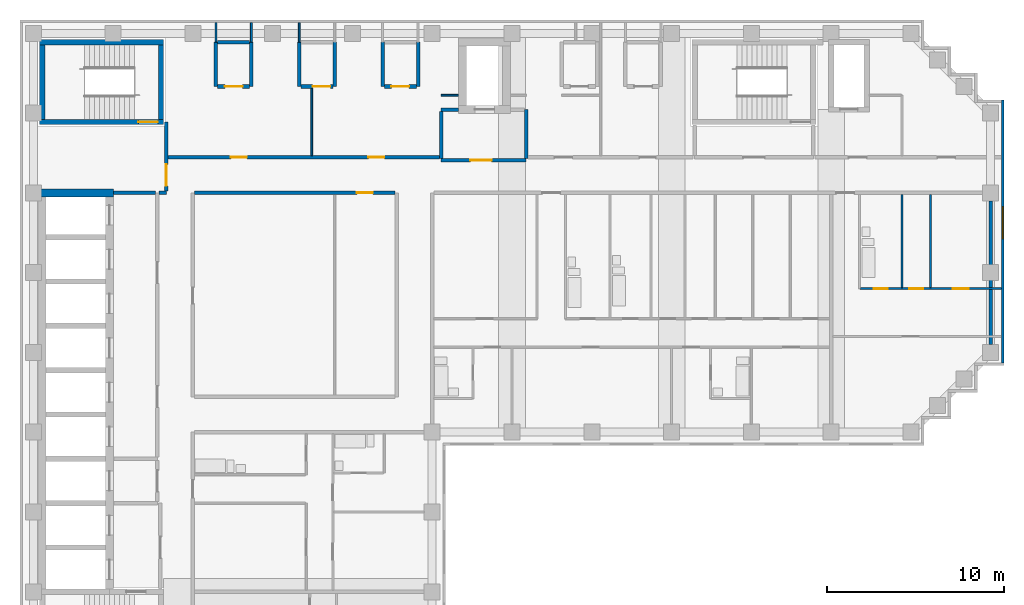
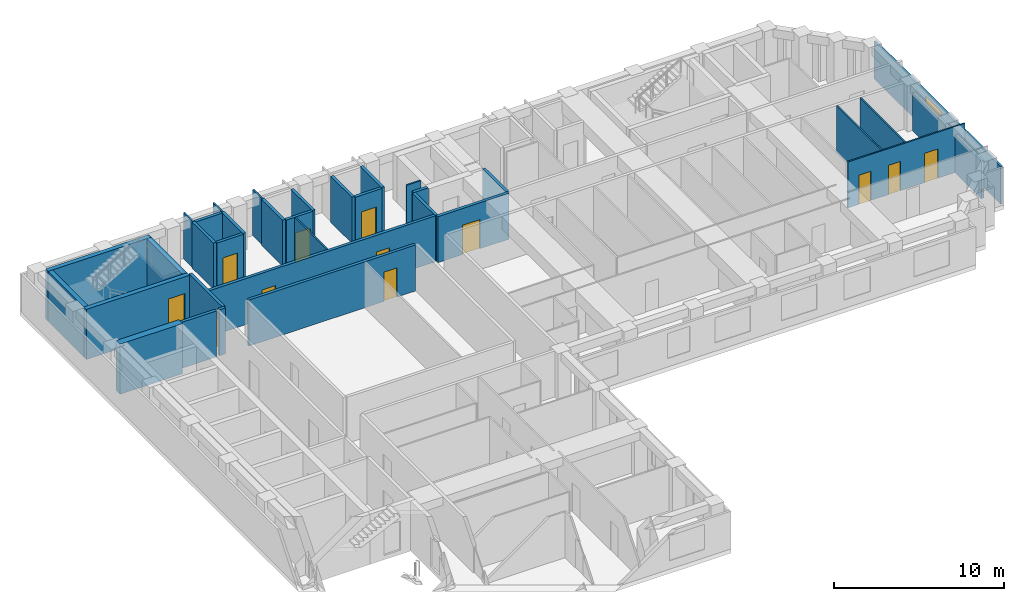
# One storey, part 5 of 9: 34 walls, 12 doors, 1 window, 13 openings.
"""IFC4 building model written with IfcOpenShell, lengths in metres."""

from ifc_helpers import new_model, si_unit, direction, frame, frame_2d, origin, place, context, subcontext, project, spatial, rectangle, extrude, material, layer, layer_set, type_object, element, fill, save


model = new_model("IFC4")

# Units and contexts
model_context = context("Model", 3, precision=1e-05, world=origin(), true_north=direction((0.0, 1.0)))
body_context = subcontext(model_context, "Body", "Model", "MODEL_VIEW")
ifc_project = project(units=[si_unit("LENGTHUNIT", "METRE"), si_unit("AREAUNIT", "SQUARE_METRE"), si_unit("VOLUMEUNIT", "CUBIC_METRE"), si_unit("PLANEANGLEUNIT", "RADIAN"), si_unit("MASSUNIT", "GRAM", prefix="KILO")], contexts=[model_context])

# Site, building, storey
site_placement = place(None, origin())
site = spatial("IfcSite", under=ifc_project, at=site_placement, CompositionType="ELEMENT")
building_placement = place(site_placement, origin())
building = spatial("IfcBuilding", under=site, at=building_placement, Name="Firuza Court", CompositionType="ELEMENT")
storey_placement = place(building_placement, frame((0.0, 0.0, 222.199951171875)))
storey = spatial("IfcBuildingStorey", under=building, at=storey_placement, Name="L57", CompositionType="ELEMENT", Elevation=222.199951171875)

# Wall
ifc_material_1 = material(Name="Moisture-resistant gypsum board partition")
ifc_layer_1 = layer(ifc_material_1, 0.10009765625)
ifc_layer_set_1 = layer_set([ifc_layer_1], Name="Moisture-resistant gypsum board partition")
wall_type_1 = type_object("IfcWallType", Name="Bathroom partition 100", PredefinedType="PLUMBINGWALL", material=ifc_layer_set_1)
wall_1_placement = place(storey_placement, frame((49.0, 44.14990234375, 0.0), z_axis=(0.0, 0.0, 1.0), x_axis=(0.0, 1.0, 0.0)))
element("IfcWall", 1, at=wall_1_placement, inside=storey, type_object=wall_type_1, Name="Bathroom partition 100 L57", PredefinedType="PLUMBINGWALL", context=body_context, shape_type="SweptSolid", body=[
    extrude(rectangle(XDim=5.25, YDim=0.10009765625, at=frame_2d((2.625, 0.0))), origin(), (0.0, 0.0, 1.0), 3.300048828125),
])

# Wall, opening, door
ifc_material_2 = material(Name="Concrete C50/60", Category="concrete")
ifc_layer_2 = layer(ifc_material_2, 0.300048828125)
ifc_layer_set_2 = layer_set([ifc_layer_2], Name="Concrete C50/60")
wall_type_2 = type_object("IfcWallType", Name="Core wall 300 C50/60", PredefinedType="SHEAR", material=ifc_layer_set_2)
wall_2_placement = place(storey_placement, frame((0.35009765625, 53.5, -0.300048828125), z_axis=(0.0, 0.0, 1.0), x_axis=(1.0, 0.0, 0.0)))
wall_2 = element("IfcWall", 2, at=wall_2_placement, inside=storey, type_object=wall_type_2, Name="Core wall stair L57", PredefinedType="SHEAR", context=body_context, shape_type="SweptSolid", body=[
    extrude(rectangle(XDim=7.0, YDim=0.300048828125, at=frame_2d((3.5, 0.0))), origin(), (0.0, 0.0, 1.0), 3.60009765625),
])
opening_1_placement = place(wall_2_placement, frame((5.580078125, 0.0, 0.300048828125)))
opening_1 = element("IfcOpeningElement", 3, at=opening_1_placement, cuts=wall_2, Name="Opening D57012", PredefinedType="OPENING", context=body_context, shape_type="SweptSolid", body=[
    extrude(rectangle(XDim=1.10009765625, YDim=2.10009765625, at=frame_2d((0.550048828125, 1.050048828125))), frame((0.0, 0.162109375, 0.0), z_axis=(0.0, -1.0, 0.0), x_axis=(1.0, 0.0, 0.0)), (0.0, 0.0, 1.0), 0.323974609375),
])
ifc_material_3 = material(Name="Timber door leaf in hardwood frame", Category="wood")
door_type_1 = type_object("IfcDoorType", Name="Stair door 1100", OperationType="SINGLE_SWING_LEFT", PredefinedType="DOOR", material=ifc_material_3)
door_1_placement = place(opening_1_placement, origin())
door_1 = element("IfcDoor", 4, at=door_1_placement, inside=storey, type_object=door_type_1, Name="Stair door S3", OperationType="SINGLE_SWING_RIGHT", OverallHeight=2.10009765625, OverallWidth=1.10009765625, PredefinedType="DOOR", context=body_context, shape_type="SweptSolid", body=[
    extrude(rectangle(XDim=1.10009765625, YDim=2.10009765625, at=frame_2d((0.550048828125, 1.050048828125))), frame((0.0, 0.02490234375, 0.0), z_axis=(0.0, -1.0, 0.0), x_axis=(1.0, 0.0, 0.0)), (0.0, 0.0, 1.0), 0.050048828125),
])
fill(opening_1, door_1)

# Walls
wall_3_placement = place(storey_placement, frame((0.35009765625, 58.0, -0.300048828125), z_axis=(0.0, 0.0, 1.0), x_axis=(1.0, 0.0, 0.0)))
element("IfcWall", 5, at=wall_3_placement, inside=storey, type_object=wall_type_2, Name="Core wall stair L57", PredefinedType="SHEAR", context=body_context, shape_type="SweptSolid", body=[
    extrude(rectangle(XDim=7.0, YDim=0.300048828125, at=frame_2d((3.5, 0.0))), origin(), (0.0, 0.0, 1.0), 3.60009765625),
])
for number, where, z_axis, x_axis, name in (
    (6, (0.5, 53.64990234375, -0.300048828125), (0.0, 0.0, 1.0), (0.0, 1.0, 0.0), "Core wall stair L57"),
    (7, (7.199951171875, 53.64990234375, -0.300048828125), (0.0, 0.0, 1.0), (0.0, 1.0, 0.0), "Core wall stair L57"),
):
    element("IfcWall", number, at=place(storey_placement, frame(where, z_axis=z_axis, x_axis=x_axis)), inside=storey, type_object=wall_type_2, Name=name, PredefinedType="SHEAR", context=body_context, shape_type="SweptSolid", body=[
        extrude(rectangle(XDim=4.2001953125, YDim=0.300048828125, at=frame_2d((2.10009765625, 0.0))), origin(), (0.0, 0.0, 1.0), 3.60009765625),
    ])
ifc_layer_3 = layer(ifc_material_2, 0.449951171875)
ifc_layer_set_3 = layer_set([ifc_layer_3], Name="Concrete C50/60")
wall_type_3 = type_object("IfcWallType", Name="Core wall 450 C50/60", PredefinedType="SHEAR", material=ifc_layer_set_3)
wall_4_placement = place(storey_placement, frame((0.27490234375, 49.5, -0.300048828125), z_axis=(0.0, 0.0, 1.0), x_axis=(1.0, 0.0, 0.0)))
element("IfcWall", 8, at=wall_4_placement, inside=storey, type_object=wall_type_3, Name="Core wall lift shaft L57", PredefinedType="SHEAR", context=body_context, shape_type="SweptSolid", body=[
    extrude(rectangle(XDim=4.25, YDim=0.449951171875, at=frame_2d((2.125, 0.0))), origin(), (0.0, 0.0, 1.0), 3.60009765625),
])

# Wall, opening, door
ifc_material_4 = material(Name="Blockwork, plastered both sides", Category="masonry")
ifc_layer_4 = layer(ifc_material_4, 0.199951171875)
ifc_layer_set_4 = layer_set([ifc_layer_4], Name="Blockwork, plastered both sides")
wall_type_4 = type_object("IfcWallType", Name="Corridor wall 200", PredefinedType="PARTITIONING", material=ifc_layer_set_4)
wall_5_placement = place(storey_placement, frame((9.10009765625, 49.5, 0.0), z_axis=(0.0, 0.0, 1.0), x_axis=(1.0, 0.0, 0.0)))
wall_5 = element("IfcWall", 9, at=wall_5_placement, inside=storey, type_object=wall_type_4, Name="Corridor wall 200 L57", PredefinedType="PARTITIONING", context=body_context, shape_type="SweptSolid", body=[
    extrude(rectangle(XDim=11.2998046875, YDim=0.199951171875, at=frame_2d((5.64990234375, 0.0))), origin(), (0.0, 0.0, 1.0), 3.300048828125),
])
opening_2_placement = place(wall_5_placement, frame((9.14990234375, 0.0, 0.0)))
opening_2 = element("IfcOpeningElement", 10, at=opening_2_placement, cuts=wall_5, Name="Opening D57045", PredefinedType="OPENING", context=body_context, shape_type="SweptSolid", body=[
    extrude(rectangle(XDim=0.89990234375, YDim=2.10009765625, at=frame_2d((0.449951171875, 1.050048828125))), frame((0.0, 0.11181640625, 0.0), z_axis=(0.0, -1.0, 0.0), x_axis=(1.0, 0.0, 0.0)), (0.0, 0.0, 1.0), 0.223876953125),
])
ifc_material_5 = material(Name="Timber door leaf in hardwood frame", Category="wood")
door_type_2 = type_object("IfcDoorType", Name="Room door 900 EI 30", OperationType="SINGLE_SWING_LEFT", PredefinedType="DOOR", material=ifc_material_5)
door_2_placement = place(opening_2_placement, origin())
door_2 = element("IfcDoor", 11, at=door_2_placement, inside=storey, type_object=door_type_2, Name="Residents' club lounge door", OperationType="SINGLE_SWING_LEFT", OverallHeight=2.10009765625, OverallWidth=0.89990234375, PredefinedType="DOOR", context=body_context, shape_type="SweptSolid", body=[
    extrude(rectangle(XDim=0.89990234375, YDim=2.10009765625, at=frame_2d((0.449951171875, 1.050048828125))), frame((0.0, 0.02490234375, 0.0), z_axis=(0.0, -1.0, 0.0), x_axis=(1.0, 0.0, 0.0)), (0.0, 0.0, 1.0), 0.050048828125),
])
fill(opening_2, door_2)

# Wall, openings, doors
wall_6_placement = place(storey_placement, frame((7.60009765625, 51.5, 0.0), z_axis=(0.0, 0.0, 1.0), x_axis=(1.0, 0.0, 0.0)))
wall_6 = element("IfcWall", 12, at=wall_6_placement, inside=storey, type_object=wall_type_4, Name="Corridor wall 200 L57", PredefinedType="PARTITIONING", context=body_context, shape_type="SweptSolid", body=[
    extrude(rectangle(XDim=15.2998046875, YDim=0.199951171875, at=frame_2d((7.64990234375, 0.0))), origin(), (0.0, 0.0, 1.0), 3.300048828125),
])
opening_3_placement = place(wall_6_placement, frame((3.550048828125, 0.0, 0.0)))
opening_3 = element("IfcOpeningElement", 13, at=opening_3_placement, cuts=wall_6, Name="Opening D57048", PredefinedType="OPENING", context=body_context, shape_type="SweptSolid", body=[
    extrude(rectangle(XDim=0.89990234375, YDim=2.10009765625, at=frame_2d((0.449951171875, 1.050048828125))), frame((0.0, 0.11181640625, 0.0), z_axis=(0.0, -1.0, 0.0), x_axis=(1.0, 0.0, 0.0)), (0.0, 0.0, 1.0), 0.223876953125),
])
opening_4_placement = place(wall_6_placement, frame((11.300048828125, 0.0, 0.0)))
opening_4 = element("IfcOpeningElement", 14, at=opening_4_placement, cuts=wall_6, Name="Opening D57049", PredefinedType="OPENING", context=body_context, shape_type="SweptSolid", body=[
    extrude(rectangle(XDim=0.89990234375, YDim=2.10009765625, at=frame_2d((0.449951171875, 1.050048828125))), frame((0.0, 0.11181640625, 0.0), z_axis=(0.0, -1.0, 0.0), x_axis=(1.0, 0.0, 0.0)), (0.0, 0.0, 1.0), 0.223876953125),
])
door_3_placement = place(opening_3_placement, origin())
door_3 = element("IfcDoor", 15, at=door_3_placement, inside=storey, type_object=door_type_2, Name="Meeting room door", OperationType="SINGLE_SWING_LEFT", OverallHeight=2.10009765625, OverallWidth=0.89990234375, PredefinedType="DOOR", context=body_context, shape_type="SweptSolid", body=[
    extrude(rectangle(XDim=0.89990234375, YDim=2.10009765625, at=frame_2d((0.449951171875, 1.050048828125))), frame((0.0, 0.02490234375, 0.0), z_axis=(0.0, -1.0, 0.0), x_axis=(1.0, 0.0, 0.0)), (0.0, 0.0, 1.0), 0.050048828125),
])
fill(opening_3, door_3)
door_4_placement = place(opening_4_placement, origin())
door_4 = element("IfcDoor", 16, at=door_4_placement, inside=storey, type_object=door_type_2, Name="Meeting room door", OperationType="SINGLE_SWING_LEFT", OverallHeight=2.10009765625, OverallWidth=0.89990234375, PredefinedType="DOOR", context=body_context, shape_type="SweptSolid", body=[
    extrude(rectangle(XDim=0.89990234375, YDim=2.10009765625, at=frame_2d((0.449951171875, 1.050048828125))), frame((0.0, 0.02490234375, 0.0), z_axis=(0.0, -1.0, 0.0), x_axis=(1.0, 0.0, 0.0)), (0.0, 0.0, 1.0), 0.050048828125),
])
fill(opening_4, door_4)

ifc_material_6 = material(Name="Timber stud partition, plasterboard both sides", Category="wood")
ifc_layer_5 = layer(ifc_material_6, 0.10009765625)
ifc_layer_set_5 = layer_set([ifc_layer_5], Name="Timber stud partition, plasterboard both sides")
wall_type_5 = type_object("IfcWallType", Name="Partition wall 100", PredefinedType="PARTITIONING", material=ifc_layer_set_5)
wall_7_placement = place(storey_placement, frame((46.64990234375, 44.10009765625, 0.0), z_axis=(0.0, 0.0, 1.0), x_axis=(1.0, 0.0, 0.0)))
wall_7 = element("IfcWall", 17, at=wall_7_placement, inside=storey, type_object=wall_type_5, Name="Partition wall 100 L57", PredefinedType="PARTITIONING", context=body_context, shape_type="SweptSolid", body=[
    extrude(rectangle(XDim=7.9501953125, YDim=0.10009765625, at=frame_2d((3.97509765625, 0.0))), origin(), (0.0, 0.0, 1.0), 3.300048828125),
])
opening_5_placement = place(wall_7_placement, frame((0.75, 0.0, 0.0)))
opening_5 = element("IfcOpeningElement", 18, at=opening_5_placement, cuts=wall_7, Name="Opening D57042", PredefinedType="OPENING", context=body_context, shape_type="SweptSolid", body=[
    extrude(rectangle(XDim=0.800048828125, YDim=2.10009765625, at=frame_2d((0.39990234375, 1.050048828125))), frame((0.0, 0.06201171875, 0.0), z_axis=(0.0, -1.0, 0.0), x_axis=(1.0, 0.0, 0.0)), (0.0, 0.0, 1.0), 0.1240234375),
])
opening_6_placement = place(wall_7_placement, frame((5.199951171875, 0.0, 0.0)))
opening_6 = element("IfcOpeningElement", 19, at=opening_6_placement, cuts=wall_7, Name="Opening D57043", PredefinedType="OPENING", context=body_context, shape_type="SweptSolid", body=[
    extrude(rectangle(XDim=0.89990234375, YDim=2.10009765625, at=frame_2d((0.449951171875, 1.050048828125))), frame((0.0, 0.06201171875, 0.0), z_axis=(0.0, -1.0, 0.0), x_axis=(1.0, 0.0, 0.0)), (0.0, 0.0, 1.0), 0.1240234375),
])
opening_7_placement = place(wall_7_placement, frame((2.75, 0.0, 0.0)))
opening_7 = element("IfcOpeningElement", 20, at=opening_7_placement, cuts=wall_7, Name="Opening D57044", PredefinedType="OPENING", context=body_context, shape_type="SweptSolid", body=[
    extrude(rectangle(XDim=0.800048828125, YDim=2.10009765625, at=frame_2d((0.39990234375, 1.050048828125))), frame((0.0, 0.06201171875, 0.0), z_axis=(0.0, -1.0, 0.0), x_axis=(1.0, 0.0, 0.0)), (0.0, 0.0, 1.0), 0.1240234375),
])
ifc_material_7 = material(Name="Timber door leaf in hardwood frame", Category="wood")
door_type_3 = type_object("IfcDoorType", Name="Bathroom door 800", OperationType="SINGLE_SWING_LEFT", PredefinedType="DOOR", material=ifc_material_7)
door_5_placement = place(opening_5_placement, origin())
door_5 = element("IfcDoor", 21, at=door_5_placement, inside=storey, type_object=door_type_3, Name="Bathroom door", OperationType="SINGLE_SWING_LEFT", OverallHeight=2.10009765625, OverallWidth=0.800048828125, PredefinedType="DOOR", context=body_context, shape_type="SweptSolid", body=[
    extrude(rectangle(XDim=0.800048828125, YDim=2.10009765625, at=frame_2d((0.39990234375, 1.050048828125))), frame((0.0, 0.02490234375, 0.0), z_axis=(0.0, -1.0, 0.0), x_axis=(1.0, 0.0, 0.0)), (0.0, 0.0, 1.0), 0.050048828125),
])
fill(opening_5, door_5)
ifc_material_8 = material(Name="Timber door leaf in hardwood frame", Category="wood")
door_type_4 = type_object("IfcDoorType", Name="Room door 800", OperationType="SINGLE_SWING_LEFT", PredefinedType="DOOR", material=ifc_material_8)
door_6_placement = place(opening_7_placement, origin())
door_6 = element("IfcDoor", 22, at=door_6_placement, inside=storey, type_object=door_type_4, Name="Store door", OperationType="SINGLE_SWING_LEFT", OverallHeight=2.10009765625, OverallWidth=0.800048828125, PredefinedType="DOOR", context=body_context, shape_type="SweptSolid", body=[
    extrude(rectangle(XDim=0.800048828125, YDim=2.10009765625, at=frame_2d((0.39990234375, 1.050048828125))), frame((0.0, 0.02490234375, 0.0), z_axis=(0.0, -1.0, 0.0), x_axis=(1.0, 0.0, 0.0)), (0.0, 0.0, 1.0), 0.050048828125),
])
fill(opening_7, door_6)
ifc_material_9 = material(Name="Timber door leaf in hardwood frame", Category="wood")
door_type_5 = type_object("IfcDoorType", Name="Room door 900", OperationType="SINGLE_SWING_LEFT", PredefinedType="DOOR", material=ifc_material_9)
door_7_placement = place(opening_6_placement, origin())
door_7 = element("IfcDoor", 23, at=door_7_placement, inside=storey, type_object=door_type_5, Name="Kitchen door", OperationType="SINGLE_SWING_LEFT", OverallHeight=2.10009765625, OverallWidth=0.89990234375, PredefinedType="DOOR", context=body_context, shape_type="SweptSolid", body=[
    extrude(rectangle(XDim=0.89990234375, YDim=2.10009765625, at=frame_2d((0.449951171875, 1.050048828125))), frame((0.0, 0.02490234375, 0.0), z_axis=(0.0, -1.0, 0.0), x_axis=(1.0, 0.0, 0.0)), (0.0, 0.0, 1.0), 0.050048828125),
])
fill(opening_6, door_7)

# Walls
wall_8_placement = place(storey_placement, frame((50.60009765625, 44.14990234375, 0.0), z_axis=(0.0, 0.0, 1.0), x_axis=(0.0, 1.0, 0.0)))
element("IfcWall", 24, at=wall_8_placement, inside=storey, type_object=wall_type_5, Name="Partition wall 100 L57", PredefinedType="PARTITIONING", context=body_context, shape_type="SweptSolid", body=[
    extrude(rectangle(XDim=5.25, YDim=0.10009765625, at=frame_2d((2.625, 0.0))), origin(), (0.0, 0.0, 1.0), 3.300048828125),
])
wall_9_placement = place(storey_placement, frame((15.699951171875, 51.60009765625, 0.0), z_axis=(0.0, 0.0, 1.0), x_axis=(0.0, 1.0, 0.0)))
element("IfcWall", 25, at=wall_9_placement, inside=storey, type_object=wall_type_5, Name="Partition wall 100 L57", PredefinedType="PARTITIONING", context=body_context, shape_type="SweptSolid", body=[
    extrude(rectangle(XDim=3.7998046875, YDim=0.10009765625, at=frame_2d((1.89990234375, 0.0))), origin(), (0.0, 0.0, 1.0), 3.300048828125),
])
wall_10_placement = place(storey_placement, frame((23.0, 55.0, 0.0), z_axis=(0.0, 0.0, 1.0), x_axis=(1.0, 0.0, 0.0)))
element("IfcWall", 26, at=wall_10_placement, inside=storey, type_object=wall_type_5, Name="Partition wall 100 L57", PredefinedType="PARTITIONING", context=body_context, shape_type="SweptSolid", body=[
    extrude(rectangle(XDim=0.97509765625, YDim=0.10009765625, at=frame_2d((0.487548828125, 0.0))), origin(), (0.0, 0.0, 1.0), 3.300048828125),
])
for number, where, z_axis, x_axis, name in (
    (27, (10.300048828125, 58.0, 0.0), (0.0, 0.0, 1.0), (0.0, 1.0, 0.0), "Partition wall 100 L57"),
    (28, (12.300048828125, 58.0, 0.0), (0.0, 0.0, 1.0), (0.0, 1.0, 0.0), "Partition wall 100 L57"),
    (29, (15.0, 58.0, 0.0), (0.0, 0.0, 1.0), (0.0, 1.0, 0.0), "Partition wall 100 L57"),
):
    element("IfcWall", number, at=place(storey_placement, frame(where, z_axis=z_axis, x_axis=x_axis)), inside=storey, type_object=wall_type_5, Name=name, PredefinedType="PARTITIONING", context=body_context, shape_type="SweptSolid", body=[
        extrude(rectangle(XDim=1.10009765625, YDim=0.10009765625, at=frame_2d((0.550048828125, 0.0))), origin(), (0.0, 0.0, 1.0), 3.300048828125),
    ])
ifc_layer_6 = layer(ifc_material_4, 0.199951171875)
ifc_layer_set_6 = layer_set([ifc_layer_6], Name="Blockwork, plastered both sides")
wall_type_6 = type_object("IfcWallType", Name="Party wall 200", PredefinedType="PARTITIONING", material=ifc_layer_set_6)
wall_11_placement = place(storey_placement, frame((54.0, 40.949951171875, 0.0), z_axis=(0.0, 0.0, 1.0), x_axis=(0.0, 1.0, 0.0)))
element("IfcWall", 30, at=wall_11_placement, inside=storey, type_object=wall_type_6, Name="Party wall 200 L57", PredefinedType="PARTITIONING", context=body_context, shape_type="SweptSolid", body=[
    extrude(rectangle(XDim=8.10009765625, YDim=0.199951171875, at=frame_2d((4.050048828125, 0.0))), origin(), (0.0, 0.0, 1.0), 2.699951171875),
])
ifc_material_10 = material(Name="Blockwork, fire-rated", Category="masonry")
ifc_layer_7 = layer(ifc_material_10, 0.199951171875)
ifc_layer_set_7 = layer_set([ifc_layer_7], Name="Blockwork, fire-rated")
wall_type_7 = type_object("IfcWallType", Name="Plant room wall 200", PredefinedType="PARTITIONING", material=ifc_layer_set_7)
wall_12_placement = place(storey_placement, frame((10.300048828125, 55.5, 0.0), z_axis=(0.0, 0.0, 1.0), x_axis=(0.0, 1.0, 0.0)))
element("IfcWall", 31, at=wall_12_placement, inside=storey, type_object=wall_type_7, Name="Plant room wall 200 L57", PredefinedType="PARTITIONING", context=body_context, shape_type="SweptSolid", body=[
    extrude(rectangle(XDim=2.5, YDim=0.199951171875, at=frame_2d((1.25, 0.0))), origin(), (0.0, 0.0, 1.0), 3.300048828125),
])

# Wall, opening, door
wall_13_placement = place(storey_placement, frame((10.39990234375, 55.5, 0.0), z_axis=(0.0, 0.0, 1.0), x_axis=(1.0, 0.0, 0.0)))
wall_13 = element("IfcWall", 32, at=wall_13_placement, inside=storey, type_object=wall_type_7, Name="Plant room wall 200 L57", PredefinedType="PARTITIONING", context=body_context, shape_type="SweptSolid", body=[
    extrude(rectangle(XDim=1.800048828125, YDim=0.199951171875, at=frame_2d((0.89990234375, 0.0))), origin(), (0.0, 0.0, 1.0), 3.300048828125),
])
opening_8_placement = place(wall_13_placement, frame((0.39990234375, 0.0, 0.0)))
opening_8 = element("IfcOpeningElement", 33, at=opening_8_placement, cuts=wall_13, Name="Opening D57054", PredefinedType="OPENING", context=body_context, shape_type="SweptSolid", body=[
    extrude(rectangle(XDim=1.0, YDim=2.10009765625, at=frame_2d((0.5, 1.050048828125))), frame((0.0, 0.11181640625, 0.0), z_axis=(0.0, -1.0, 0.0), x_axis=(1.0, 0.0, 0.0)), (0.0, 0.0, 1.0), 0.223876953125),
])
ifc_material_11 = material(Name="Timber door leaf in hardwood frame", Category="wood")
door_type_6 = type_object("IfcDoorType", Name="Riser door 1000", OperationType="SINGLE_SWING_LEFT", PredefinedType="DOOR", material=ifc_material_11)
door_8_placement = place(opening_8_placement, origin())
door_8 = element("IfcDoor", 34, at=door_8_placement, inside=storey, type_object=door_type_6, Name="Comms riser door", OperationType="SINGLE_SWING_LEFT", OverallHeight=2.10009765625, OverallWidth=1.0, PredefinedType="DOOR", context=body_context, shape_type="SweptSolid", body=[
    extrude(rectangle(XDim=1.0, YDim=2.10009765625, at=frame_2d((0.5, 1.050048828125))), frame((0.0, 0.02490234375, 0.0), z_axis=(0.0, -1.0, 0.0), x_axis=(1.0, 0.0, 0.0)), (0.0, 0.0, 1.0), 0.050048828125),
])
fill(opening_8, door_8)

# Walls
for number, where, z_axis, x_axis, name in (
    (35, (12.300048828125, 55.5, 0.0), (0.0, 0.0, 1.0), (0.0, 1.0, 0.0), "Plant room wall 200 L57"),
    (36, (15.0, 55.5, 0.0), (0.0, 0.0, 1.0), (0.0, 1.0, 0.0), "Plant room wall 200 L57"),
):
    element("IfcWall", number, at=place(storey_placement, frame(where, z_axis=z_axis, x_axis=x_axis)), inside=storey, type_object=wall_type_7, Name=name, PredefinedType="PARTITIONING", context=body_context, shape_type="SweptSolid", body=[
        extrude(rectangle(XDim=2.5, YDim=0.199951171875, at=frame_2d((1.25, 0.0))), origin(), (0.0, 0.0, 1.0), 3.300048828125),
    ])

# Wall, opening, door
wall_14_placement = place(storey_placement, frame((15.10009765625, 55.5, 0.0), z_axis=(0.0, 0.0, 1.0), x_axis=(1.0, 0.0, 0.0)))
wall_14 = element("IfcWall", 37, at=wall_14_placement, inside=storey, type_object=wall_type_7, Name="Plant room wall 200 L57", PredefinedType="PARTITIONING", context=body_context, shape_type="SweptSolid", body=[
    extrude(rectangle(XDim=1.7998046875, YDim=0.199951171875, at=frame_2d((0.89990234375, 0.0))), origin(), (0.0, 0.0, 1.0), 3.300048828125),
])
opening_9_placement = place(wall_14_placement, frame((0.64990234375, 0.0, 0.0)))
opening_9 = element("IfcOpeningElement", 38, at=opening_9_placement, cuts=wall_14, Name="Opening D57055", PredefinedType="OPENING", context=body_context, shape_type="SweptSolid", body=[
    extrude(rectangle(XDim=1.0, YDim=2.10009765625, at=frame_2d((0.5, 1.050048828125))), frame((0.0, 0.11181640625, 0.0), z_axis=(0.0, -1.0, 0.0), x_axis=(1.0, 0.0, 0.0)), (0.0, 0.0, 1.0), 0.223876953125),
])
door_9_placement = place(opening_9_placement, origin())
door_9 = element("IfcDoor", 39, at=door_9_placement, inside=storey, type_object=door_type_6, Name="Electrical riser door", OperationType="SINGLE_SWING_RIGHT", OverallHeight=2.10009765625, OverallWidth=1.0, PredefinedType="DOOR", context=body_context, shape_type="SweptSolid", body=[
    extrude(rectangle(XDim=1.0, YDim=2.10009765625, at=frame_2d((0.5, 1.050048828125))), frame((0.0, 0.02490234375, 0.0), z_axis=(0.0, -1.0, 0.0), x_axis=(1.0, 0.0, 0.0)), (0.0, 0.0, 1.0), 0.050048828125),
])
fill(opening_9, door_9)

# Walls
for number, where, z_axis, x_axis, name in (
    (40, (17.0, 55.5, 0.0), (0.0, 0.0, 1.0), (0.0, 1.0, 0.0), "Plant room wall 200 L57"),
    (41, (19.699951171875, 55.5, 0.0), (0.0, 0.0, 1.0), (0.0, 1.0, 0.0), "Plant room wall 200 L57"),
):
    element("IfcWall", number, at=place(storey_placement, frame(where, z_axis=z_axis, x_axis=x_axis)), inside=storey, type_object=wall_type_7, Name=name, PredefinedType="PARTITIONING", context=body_context, shape_type="SweptSolid", body=[
        extrude(rectangle(XDim=2.5, YDim=0.199951171875, at=frame_2d((1.25, 0.0))), origin(), (0.0, 0.0, 1.0), 3.300048828125),
    ])

# Wall, opening, door
wall_15_placement = place(storey_placement, frame((19.800048828125, 55.5, 0.0), z_axis=(0.0, 0.0, 1.0), x_axis=(1.0, 0.0, 0.0)))
wall_15 = element("IfcWall", 42, at=wall_15_placement, inside=storey, type_object=wall_type_7, Name="Plant room wall 200 L57", PredefinedType="PARTITIONING", context=body_context, shape_type="SweptSolid", body=[
    extrude(rectangle(XDim=1.800048828125, YDim=0.199951171875, at=frame_2d((0.89990234375, 0.0))), origin(), (0.0, 0.0, 1.0), 3.300048828125),
])
opening_10_placement = place(wall_15_placement, frame((0.39990234375, 0.0, 0.0)))
opening_10 = element("IfcOpeningElement", 43, at=opening_10_placement, cuts=wall_15, Name="Opening D57056", PredefinedType="OPENING", context=body_context, shape_type="SweptSolid", body=[
    extrude(rectangle(XDim=1.0, YDim=2.10009765625, at=frame_2d((0.5, 1.050048828125))), frame((0.0, 0.11181640625, 0.0), z_axis=(0.0, -1.0, 0.0), x_axis=(1.0, 0.0, 0.0)), (0.0, 0.0, 1.0), 0.223876953125),
])
door_10_placement = place(opening_10_placement, origin())
door_10 = element("IfcDoor", 44, at=door_10_placement, inside=storey, type_object=door_type_6, Name="Duct riser door", OperationType="SINGLE_SWING_LEFT", OverallHeight=2.10009765625, OverallWidth=1.0, PredefinedType="DOOR", context=body_context, shape_type="SweptSolid", body=[
    extrude(rectangle(XDim=1.0, YDim=2.10009765625, at=frame_2d((0.5, 1.050048828125))), frame((0.0, 0.02490234375, 0.0), z_axis=(0.0, -1.0, 0.0), x_axis=(1.0, 0.0, 0.0)), (0.0, 0.0, 1.0), 0.050048828125),
])
fill(opening_10, door_10)

# Walls
wall_16_placement = place(storey_placement, frame((21.699951171875, 55.5, 0.0), z_axis=(0.0, 0.0, 1.0), x_axis=(0.0, 1.0, 0.0)))
element("IfcWall", 45, at=wall_16_placement, inside=storey, type_object=wall_type_7, Name="Plant room wall 200 L57", PredefinedType="PARTITIONING", context=body_context, shape_type="SweptSolid", body=[
    extrude(rectangle(XDim=2.5, YDim=0.199951171875, at=frame_2d((1.25, 0.0))), origin(), (0.0, 0.0, 1.0), 3.300048828125),
])
wall_17_placement = place(storey_placement, frame((10.39990234375, 58.0, 0.0), z_axis=(0.0, 0.0, 1.0), x_axis=(1.0, 0.0, 0.0)))
element("IfcWall", 46, at=wall_17_placement, inside=storey, type_object=wall_type_7, Name="Plant room wall 200 L57", PredefinedType="PARTITIONING", context=body_context, shape_type="SweptSolid", body=[
    extrude(rectangle(XDim=1.800048828125, YDim=0.199951171875, at=frame_2d((0.89990234375, 0.0))), origin(), (0.0, 0.0, 1.0), 3.300048828125),
])

# Wall, opening, window
ifc_material_12 = material(Name="Ceramic tile", Category="ceramic")
ifc_layer_8 = layer(ifc_material_12, 0.02001953125)
ifc_material_13 = material(Name="Mineral wool insulation", Category="insulation")
ifc_layer_9 = layer(ifc_material_13, 0.050048828125)
ifc_material_14 = material(Name="Concrete C40/50 precast", Category="concrete")
ifc_layer_10 = layer(ifc_material_14, 0.080078125)
ifc_layer_set_8 = layer_set([ifc_layer_8, ifc_layer_9, ifc_layer_10], Name="Concrete C40/50 precast")
wall_type_8 = type_object("IfcWallType", Name="Precast cladding wall with turquoise TILE PANEL face 150", PredefinedType="STANDARD", material=ifc_layer_set_8)
wall_18_placement = place(storey_placement, frame((54.675048828125, 39.89990234375, 0.0), z_axis=(0.0, 0.0, 1.0), x_axis=(0.0, 1.0, 0.0)))
wall_18 = element("IfcWall", 47, at=wall_18_placement, inside=storey, type_object=wall_type_8, Name="Facade wall L57 E", PredefinedType="STANDARD", context=body_context, shape_type="SweptSolid", body=[
    extrude(rectangle(XDim=14.85009765625, YDim=0.14990234375, at=frame_2d((7.425048828125, 0.0))), origin(), (0.0, 0.0, 1.0), 2.699951171875),
])
opening_11_placement = place(wall_18_placement, frame((7.019775390625, 0.0, 0.60009765625)))
opening_11 = element("IfcOpeningElement", 48, at=opening_11_placement, cuts=wall_18, Name="Opening W7", PredefinedType="OPENING", context=body_context, shape_type="SweptSolid", body=[
    extrude(rectangle(XDim=1.800048828125, YDim=1.800048828125, at=frame_2d((0.89990234375, 0.89990234375))), frame((0.0, 0.0869140625, 0.0), z_axis=(0.0, -1.0, 0.0), x_axis=(1.0, 0.0, 0.0)), (0.0, 0.0, 1.0), 0.173828125),
])
ifc_material_15 = material(Name="Aluminium frame, triple clear glazing", Category="aluminium")
window_type = type_object("IfcWindowType", Name="Window W7 1800 x 1800", PartitioningType="SINGLE_PANEL", PredefinedType="WINDOW", material=ifc_material_15)
window_placement = place(opening_11_placement, origin())
window = element("IfcWindow", 49, at=window_placement, inside=storey, type_object=window_type, Name="Window L57", OverallHeight=1.800048828125, OverallWidth=1.800048828125, PartitioningType="SINGLE_PANEL", PredefinedType="WINDOW", context=body_context, shape_type="SweptSolid", body=[
    extrude(rectangle(XDim=1.800048828125, YDim=1.800048828125, at=frame_2d((0.89990234375, 0.89990234375))), frame((0.0, 0.030029296875, 0.0), z_axis=(0.0, -1.0, 0.0), x_axis=(1.0, 0.0, 0.0)), (0.0, 0.0, 1.0), 0.06005859375),
])
fill(opening_11, window)

# Wall
ifc_layer_11 = layer(ifc_material_10, 0.199951171875)
ifc_layer_set_9 = layer_set([ifc_layer_11], Name="Blockwork, fire-rated")
wall_type_9 = type_object("IfcWallType", Name="Shaft wall 200", PredefinedType="PARTITIONING", material=ifc_layer_set_9)
wall_19_placement = place(storey_placement, frame((4.52490234375, 49.5, 0.0), z_axis=(0.0, 0.0, 1.0), x_axis=(1.0, 0.0, 0.0)))
element("IfcWall", 50, at=wall_19_placement, inside=storey, type_object=wall_type_9, Name="Shaft wall 200 L57", PredefinedType="PARTITIONING", context=body_context, shape_type="SweptSolid", body=[
    extrude(rectangle(XDim=2.375, YDim=0.199951171875, at=frame_2d((1.1875, 0.0))), origin(), (0.0, 0.0, 1.0), 3.300048828125),
])

# Wall, opening, door
wall_20_placement = place(storey_placement, frame((23.0, 51.35009765625, 0.0), z_axis=(0.0, 0.0, 1.0), x_axis=(1.0, 0.0, 0.0)))
wall_20 = element("IfcWall", 51, at=wall_20_placement, inside=storey, type_object=wall_type_9, Name="Shaft wall 200 L57", PredefinedType="PARTITIONING", context=body_context, shape_type="SweptSolid", body=[
    extrude(rectangle(XDim=4.800048828125, YDim=0.199951171875, at=frame_2d((2.39990234375, 0.0))), origin(), (0.0, 0.0, 1.0), 3.300048828125),
])
opening_12_placement = place(wall_20_placement, frame((1.64990234375, 0.0, 0.0)))
opening_12 = element("IfcOpeningElement", 52, at=opening_12_placement, cuts=wall_20, Name="Opening D57003", PredefinedType="OPENING", context=body_context, shape_type="SweptSolid", body=[
    extrude(rectangle(XDim=1.199951171875, YDim=2.10009765625, at=frame_2d((0.60009765625, 1.050048828125))), frame((0.0, 0.11181640625, 0.0), z_axis=(0.0, -1.0, 0.0), x_axis=(1.0, 0.0, 0.0)), (0.0, 0.0, 1.0), 0.223876953125),
])
ifc_material_16 = material(Name="Timber door leaf in hardwood frame", Category="wood")
door_type_7 = type_object("IfcDoorType", Name="Lobby door 1200", OperationType="SINGLE_SWING_LEFT", PredefinedType="DOOR", material=ifc_material_16)
door_11_placement = place(opening_12_placement, origin())
door_11 = element("IfcDoor", 53, at=door_11_placement, inside=storey, type_object=door_type_7, Name="Fire-fighting lobby door", OperationType="SINGLE_SWING_LEFT", OverallHeight=2.10009765625, OverallWidth=1.199951171875, PredefinedType="DOOR", context=body_context, shape_type="SweptSolid", body=[
    extrude(rectangle(XDim=1.199951171875, YDim=2.10009765625, at=frame_2d((0.60009765625, 1.050048828125))), frame((0.0, 0.02490234375, 0.0), z_axis=(0.0, -1.0, 0.0), x_axis=(1.0, 0.0, 0.0)), (0.0, 0.0, 1.0), 0.050048828125),
])
fill(opening_12, door_11)

# Walls
wall_21_placement = place(storey_placement, frame((27.800048828125, 51.449951171875, 0.0), z_axis=(0.0, 0.0, 1.0), x_axis=(0.0, 1.0, 0.0)))
element("IfcWall", 54, at=wall_21_placement, inside=storey, type_object=wall_type_9, Name="Shaft wall 200 L57", PredefinedType="PARTITIONING", context=body_context, shape_type="SweptSolid", body=[
    extrude(rectangle(XDim=2.75, YDim=0.199951171875, at=frame_2d((1.375, 0.0))), origin(), (0.0, 0.0, 1.0), 3.300048828125),
])
wall_22_placement = place(storey_placement, frame((23.0, 54.199951171875, 0.0), z_axis=(0.0, 0.0, 1.0), x_axis=(1.0, 0.0, 0.0)))
element("IfcWall", 55, at=wall_22_placement, inside=storey, type_object=wall_type_9, Name="Shaft wall 200 L57", PredefinedType="PARTITIONING", context=body_context, shape_type="SweptSolid", body=[
    extrude(rectangle(XDim=0.97509765625, YDim=0.199951171875, at=frame_2d((0.487548828125, 0.0))), origin(), (0.0, 0.0, 1.0), 3.300048828125),
])
wall_23_placement = place(storey_placement, frame((23.0, 51.449951171875, 0.0), z_axis=(0.0, 0.0, 1.0), x_axis=(0.0, 1.0, 0.0)))
element("IfcWall", 56, at=wall_23_placement, inside=storey, type_object=wall_type_9, Name="Shaft wall 200 L57", PredefinedType="PARTITIONING", context=body_context, shape_type="SweptSolid", body=[
    extrude(rectangle(XDim=2.650146484375, YDim=0.199951171875, at=frame_2d((1.3251953125, 0.0))), origin(), (0.0, 0.0, 1.0), 3.300048828125),
])
wall_24_placement = place(storey_placement, frame((7.10009765625, 49.5, 0.0), z_axis=(0.0, 0.0, 1.0), x_axis=(1.0, 0.0, 0.0)))
element("IfcWall", 57, at=wall_24_placement, inside=storey, type_object=wall_type_9, Name="Shaft wall 200 L57", PredefinedType="PARTITIONING", context=body_context, shape_type="SweptSolid", body=[
    extrude(rectangle(XDim=0.39990234375, YDim=0.199951171875, at=frame_2d((0.199951171875, 0.0))), origin(), (0.0, 0.0, 1.0), 3.300048828125),
])

# Wall, opening, door
wall_25_placement = place(storey_placement, frame((7.5, 49.60009765625, 0.0), z_axis=(0.0, 0.0, 1.0), x_axis=(0.0, 1.0, 0.0)))
wall_25 = element("IfcWall", 58, at=wall_25_placement, inside=storey, type_object=wall_type_9, Name="Shaft wall 200 L57", PredefinedType="PARTITIONING", context=body_context, shape_type="SweptSolid", body=[
    extrude(rectangle(XDim=3.89990234375, YDim=0.199951171875, at=frame_2d((1.949951171875, 0.0))), origin(), (0.0, 0.0, 1.0), 3.300048828125),
])
opening_13_placement = place(wall_25_placement, frame((0.300048828125, 0.0, 0.0)))
opening_13 = element("IfcOpeningElement", 59, at=opening_13_placement, cuts=wall_25, Name="Opening D57001", PredefinedType="OPENING", context=body_context, shape_type="SweptSolid", body=[
    extrude(rectangle(XDim=1.199951171875, YDim=2.10009765625, at=frame_2d((0.60009765625, 1.050048828125))), frame((0.0, 0.11181640625, 0.0), z_axis=(0.0, -1.0, 0.0), x_axis=(1.0, 0.0, 0.0)), (0.0, 0.0, 1.0), 0.223876953125),
])
door_12_placement = place(opening_13_placement, origin())
door_12 = element("IfcDoor", 60, at=door_12_placement, inside=storey, type_object=door_type_7, Name="Lobby door", OperationType="SINGLE_SWING_LEFT", OverallHeight=2.10009765625, OverallWidth=1.199951171875, PredefinedType="DOOR", context=body_context, shape_type="SweptSolid", body=[
    extrude(rectangle(XDim=1.199951171875, YDim=2.10009765625, at=frame_2d((0.60009765625, 1.050048828125))), frame((0.0, 0.02490234375, 0.0), z_axis=(0.0, -1.0, 0.0), x_axis=(1.0, 0.0, 0.0)), (0.0, 0.0, 1.0), 0.050048828125),
])
fill(opening_13, door_12)

save(model, "model.ifc")
